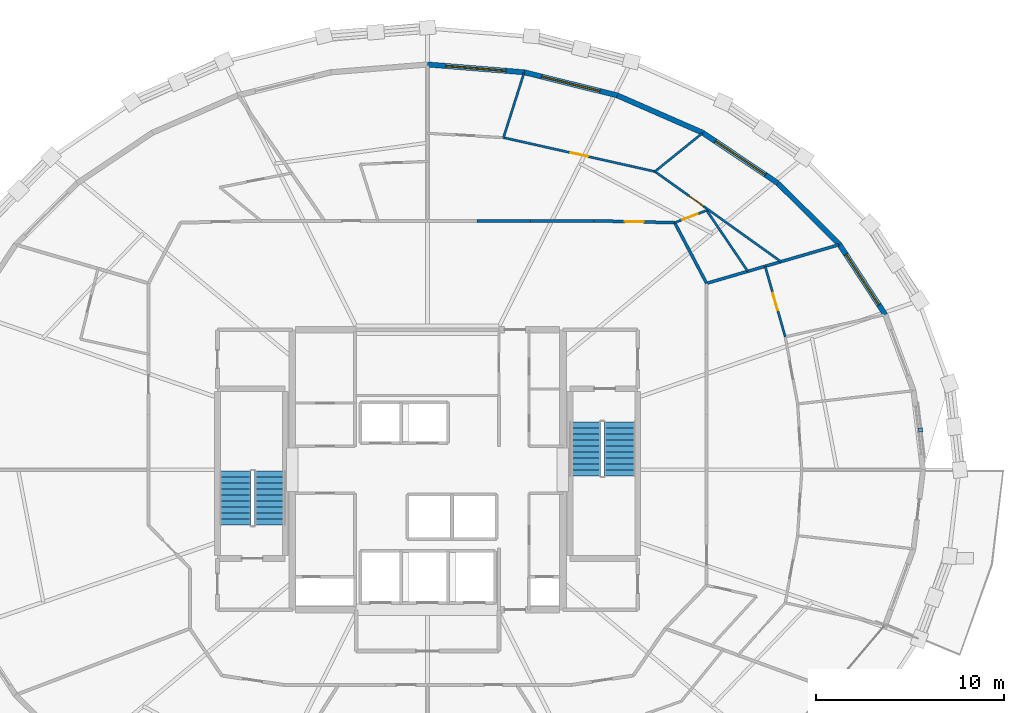
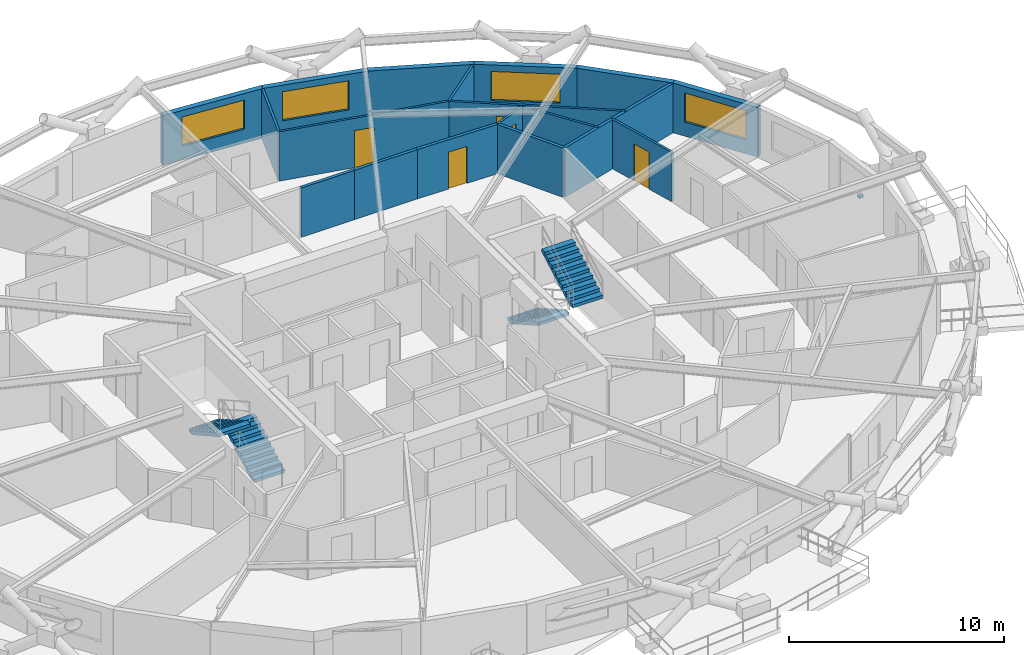
# One storey, part 13 of 14: 18 walls, 5 doors, 4 stair flights, 4 windows, 1 discrete accessory, 9 openings, 2 elements without a shape of their own.
"""IFC4 building model written with IfcOpenShell, lengths in metres."""

from ifc_helpers import new_model, si_unit, direction, frame, frame_2d, origin, origin_2d, place, context, subcontext, project, spatial, polyline, rectangle, outline, extrude, material, layer, layer_set, type_object, element, fill, aggregate, save


model = new_model("IFC4")

# Units and contexts
model_context = context("Model", 3, precision=1e-05, world=origin(), true_north=direction((0.0, 1.0)))
body_context = subcontext(model_context, "Body", "Model", "MODEL_VIEW")
ifc_project = project(units=[si_unit("LENGTHUNIT", "METRE"), si_unit("AREAUNIT", "SQUARE_METRE"), si_unit("VOLUMEUNIT", "CUBIC_METRE"), si_unit("PLANEANGLEUNIT", "RADIAN"), si_unit("MASSUNIT", "GRAM", prefix="KILO")], contexts=[model_context])

# Site, building, storey
site_placement = place(None, origin())
site = spatial("IfcSite", under=ifc_project, at=site_placement, CompositionType="ELEMENT")
building_placement = place(site_placement, origin())
building = spatial("IfcBuilding", under=site, at=building_placement, Name="Veldorina Hangang Commons", CompositionType="ELEMENT")
storey_placement = place(building_placement, frame((0.0, 0.0, 149.60009765625)))
storey = spatial("IfcBuildingStorey", under=building, at=storey_placement, Name="L38", CompositionType="ELEMENT", Elevation=149.60009765625)

# Wall, opening, window
ifc_material_1 = material(Name="Stone Roman Travertine", Category="masonry")
ifc_layer_1 = layer(ifc_material_1, 0.280029296875)
ifc_layer_set_1 = layer_set([ifc_layer_1], Name="Stone Roman Travertine")
wall_type_1 = type_object("IfcWallType", Name="EW-TRAV-280", PredefinedType="STANDARD", material=ifc_layer_set_1)
wall_1_placement = place(storey_placement, frame((56.35888671875, 32.253662109375, 0.0), z_axis=(0.0, 0.0, 1.0), x_axis=(-0.547011581396, 0.837125038342, 0.0)))
wall_1 = element("IfcWall", 1, at=wall_1_placement, inside=storey, type_object=wall_type_1, Name="L38 travertine facade wall 02", PredefinedType="STANDARD", context=body_context, shape_type="SweptSolid", body=[
    extrude(rectangle(XDim=4.454345703125, YDim=0.280029296875, at=frame_2d((2.22705078125, 0.0))), origin(), (0.0, 0.0, 1.0), 2.81982421875),
])
opening_1_placement = place(wall_1_placement, frame((0.627197265625, 0.0, 0.800048828125)))
opening_1 = element("IfcOpeningElement", 2, at=opening_1_placement, cuts=wall_1, Name="Opening W-01", PredefinedType="OPENING", context=body_context, shape_type="SweptSolid", body=[
    extrude(rectangle(XDim=3.199951171875, YDim=1.64990234375, at=frame_2d((1.60009765625, 0.824951171875))), frame((0.0, 0.14990234375, 0.0), z_axis=(0.0, -1.0, 0.0), x_axis=(1.0, 0.0, 0.0)), (0.0, 0.0, 1.0), 0.300048828125),
])
ifc_material_2 = material(Name="Glass Low-E Triple IGU", Category="glass")
window_type = type_object("IfcWindowType", Name="WIN-TWR-3200", PartitioningType="SINGLE_PANEL", PredefinedType="WINDOW", material=ifc_material_2)
window_1_placement = place(opening_1_placement, origin())
window_1 = element("IfcWindow", 3, at=window_1_placement, inside=storey, type_object=window_type, Name="L38 facade window 02", OverallHeight=1.64990234375, OverallWidth=3.199951171875, PartitioningType="SINGLE_PANEL", PredefinedType="WINDOW", context=body_context, shape_type="SweptSolid", body=[
    extrude(rectangle(XDim=3.199951171875, YDim=1.64990234375, at=frame_2d((1.60009765625, 0.824951171875))), frame((0.0, 0.030029296875, 0.0), z_axis=(0.0, -1.0, 0.0), x_axis=(1.0, 0.0, 0.0)), (0.0, 0.0, 1.0), 0.06005859375),
])
fill(opening_1, window_1)

# Wall
wall_2_placement = place(storey_placement, frame((53.92236328125, 35.982421875, 0.0), z_axis=(0.0, 0.0, 1.0), x_axis=(-0.708239604084, 0.705972140532, 0.0)))
element("IfcWall", 4, at=wall_2_placement, inside=storey, type_object=wall_type_1, Name="L38 travertine facade wall 03", PredefinedType="STANDARD", context=body_context, shape_type="SweptSolid", body=[
    extrude(rectangle(XDim=4.6298828125, YDim=0.280029296875, at=frame_2d((2.31494140625, 0.0))), origin(), (0.0, 0.0, 1.0), 2.81982421875),
])

# Wall, opening, window
wall_3_placement = place(storey_placement, frame((50.643310546875, 39.2509765625, 0.0), z_axis=(0.0, 0.0, 1.0), x_axis=(-0.830250648056, 0.557390223634, 0.0)))
wall_3 = element("IfcWall", 5, at=wall_3_placement, inside=storey, type_object=wall_type_1, Name="L38 travertine facade wall 04", PredefinedType="STANDARD", context=body_context, shape_type="SweptSolid", body=[
    extrude(rectangle(XDim=4.81201171875, YDim=0.280029296875, at=frame_2d((2.406005859375, 0.0))), origin(), (0.0, 0.0, 1.0), 2.81982421875),
])
opening_2_placement = place(wall_3_placement, frame((0.80615234375, 0.0, 0.800048828125)))
opening_2 = element("IfcOpeningElement", 6, at=opening_2_placement, cuts=wall_3, Name="Opening W-01", PredefinedType="OPENING", context=body_context, shape_type="SweptSolid", body=[
    extrude(rectangle(XDim=3.199951171875, YDim=1.64990234375, at=frame_2d((1.60009765625, 0.824951171875))), frame((0.0, 0.14990234375, 0.0), z_axis=(0.0, -1.0, 0.0), x_axis=(1.0, 0.0, 0.0)), (0.0, 0.0, 1.0), 0.300048828125),
])
window_2_placement = place(opening_2_placement, origin())
window_2 = element("IfcWindow", 7, at=window_2_placement, inside=storey, type_object=window_type, Name="L38 facade window 04", OverallHeight=1.64990234375, OverallWidth=3.199951171875, PartitioningType="SINGLE_PANEL", PredefinedType="WINDOW", context=body_context, shape_type="SweptSolid", body=[
    extrude(rectangle(XDim=3.199951171875, YDim=1.64990234375, at=frame_2d((1.60009765625, 0.824951171875))), frame((0.0, 0.030029296875, 0.0), z_axis=(0.0, -1.0, 0.0), x_axis=(1.0, 0.0, 0.0)), (0.0, 0.0, 1.0), 0.06005859375),
])
fill(opening_2, window_2)

# Wall
wall_4_placement = place(storey_placement, frame((46.648193359375, 41.93310546875, 0.0), z_axis=(0.0, 0.0, 1.0), x_axis=(-0.916239532795, 0.400630900634, 0.0)))
element("IfcWall", 8, at=wall_4_placement, inside=storey, type_object=wall_type_1, Name="L38 travertine facade wall 05", PredefinedType="STANDARD", context=body_context, shape_type="SweptSolid", body=[
    extrude(rectangle(XDim=4.97509765625, YDim=0.280029296875, at=frame_2d((2.487548828125, 0.0))), origin(), (0.0, 0.0, 1.0), 2.81982421875),
])

# Wall, opening, window
wall_5_placement = place(storey_placement, frame((42.08984375, 43.92626953125, 0.0), z_axis=(0.0, 0.0, 1.0), x_axis=(-0.97056654197, 0.24083311153, 0.0)))
wall_5 = element("IfcWall", 9, at=wall_5_placement, inside=storey, type_object=wall_type_1, Name="L38 travertine facade wall 06", PredefinedType="STANDARD", context=body_context, shape_type="SweptSolid", body=[
    extrude(rectangle(XDim=5.095947265625, YDim=0.280029296875, at=frame_2d((2.5478515625, 0.0))), origin(), (0.0, 0.0, 1.0), 2.81982421875),
])
opening_3_placement = place(wall_5_placement, frame((0.947998046875, 0.0, 0.800048828125)))
opening_3 = element("IfcOpeningElement", 10, at=opening_3_placement, cuts=wall_5, Name="Opening W-01", PredefinedType="OPENING", context=body_context, shape_type="SweptSolid", body=[
    extrude(rectangle(XDim=3.199951171875, YDim=1.64990234375, at=frame_2d((1.60009765625, 0.824951171875))), frame((0.0, 0.14990234375, 0.0), z_axis=(0.0, -1.0, 0.0), x_axis=(1.0, 0.0, 0.0)), (0.0, 0.0, 1.0), 0.300048828125),
])
window_3_placement = place(opening_3_placement, origin())
window_3 = element("IfcWindow", 11, at=window_3_placement, inside=storey, type_object=window_type, Name="L38 facade window 06", OverallHeight=1.64990234375, OverallWidth=3.199951171875, PartitioningType="SINGLE_PANEL", PredefinedType="WINDOW", context=body_context, shape_type="SweptSolid", body=[
    extrude(rectangle(XDim=3.199951171875, YDim=1.64990234375, at=frame_2d((1.60009765625, 0.824951171875))), frame((0.0, 0.030029296875, 0.0), z_axis=(0.0, -1.0, 0.0), x_axis=(1.0, 0.0, 0.0)), (0.0, 0.0, 1.0), 0.06005859375),
])
fill(opening_3, window_3)

wall_6_placement = place(storey_placement, frame((37.143798828125, 45.153564453125, 0.0), z_axis=(0.0, 0.0, 1.0), x_axis=(-0.996768172261, 0.080331878898, 0.0)))
wall_6 = element("IfcWall", 12, at=wall_6_placement, inside=storey, type_object=wall_type_1, Name="L38 travertine facade wall 07", PredefinedType="STANDARD", context=body_context, shape_type="SweptSolid", body=[
    extrude(rectangle(XDim=5.160400390625, YDim=0.280029296875, at=frame_2d((2.580078125, 0.0))), origin(), (0.0, 0.0, 1.0), 2.81982421875),
])
opening_4_placement = place(wall_6_placement, frame((0.980224609375, 0.0, 0.800048828125)))
opening_4 = element("IfcOpeningElement", 13, at=opening_4_placement, cuts=wall_6, Name="Opening W-01", PredefinedType="OPENING", context=body_context, shape_type="SweptSolid", body=[
    extrude(rectangle(XDim=3.199951171875, YDim=1.64990234375, at=frame_2d((1.60009765625, 0.824951171875))), frame((0.0, 0.14990234375, 0.0), z_axis=(0.0, -1.0, 0.0), x_axis=(1.0, 0.0, 0.0)), (0.0, 0.0, 1.0), 0.300048828125),
])
window_4_placement = place(opening_4_placement, origin())
window_4 = element("IfcWindow", 14, at=window_4_placement, inside=storey, type_object=window_type, Name="L38 facade window 07", OverallHeight=1.64990234375, OverallWidth=3.199951171875, PartitioningType="SINGLE_PANEL", PredefinedType="WINDOW", context=body_context, shape_type="SweptSolid", body=[
    extrude(rectangle(XDim=3.199951171875, YDim=1.64990234375, at=frame_2d((1.60009765625, 0.824951171875))), frame((0.0, 0.030029296875, 0.0), z_axis=(0.0, -1.0, 0.0), x_axis=(1.0, 0.0, 0.0)), (0.0, 0.0, 1.0), 0.06005859375),
])
fill(opening_4, window_4)

# Wall
ifc_material_3 = material(Name="Gypsum Fire-Rated Twin Stud Wall", Category="gypsum")
ifc_layer_2 = layer(ifc_material_3, 0.159912109375)
ifc_layer_set_2 = layer_set([ifc_layer_2], Name="Gypsum Fire-Rated Twin Stud Wall")
wall_type_2 = type_object("IfcWallType", Name="WL-FIRE-160", PredefinedType="SOLIDWALL", material=ifc_layer_set_2)
wall_7_placement = place(storey_placement, frame((46.85009765625, 33.922607421875, 0.0), z_axis=(0.0, 0.0, 1.0), x_axis=(-0.466093963429, 0.884735224378, 0.0)))
element("IfcWall", 15, at=wall_7_placement, inside=storey, type_object=wall_type_2, Name="L38 U-corridor outer wall 03 049", PredefinedType="SOLIDWALL", context=body_context, shape_type="SweptSolid", body=[
    extrude(rectangle(XDim=3.647705078125, YDim=0.159912109375, at=frame_2d((1.82373046875, 0.0))), origin(), (0.0, 0.0, 1.0), 2.7998046875),
])

# Wall, opening, door
wall_8_placement = place(storey_placement, frame((45.14990234375, 37.14990234375, 0.0), z_axis=(0.0, 0.0, 1.0), x_axis=(-0.999728709658, 0.023291781507, 0.0)))
wall_8 = element("IfcWall", 16, at=wall_8_placement, inside=storey, type_object=wall_type_2, Name="L38 U-corridor outer wall 04 050", PredefinedType="SOLIDWALL", context=body_context, shape_type="SweptSolid", body=[
    extrude(rectangle(XDim=4.297607421875, YDim=0.159912109375, at=frame_2d((2.14892578125, 0.0))), origin(), (0.0, 0.0, 1.0), 2.7998046875),
])
opening_5_placement = place(wall_8_placement, frame((1.64892578125, 0.0, 0.0)))
opening_5 = element("IfcOpeningElement", 17, at=opening_5_placement, cuts=wall_8, Name="Opening D-06", PredefinedType="OPENING", context=body_context, shape_type="SweptSolid", body=[
    extrude(rectangle(XDim=1.0, YDim=2.10009765625, at=frame_2d((0.5, 1.050048828125))), frame((0.0, 0.08984375, 0.0), z_axis=(0.0, -1.0, 0.0), x_axis=(1.0, 0.0, 0.0)), (0.0, 0.0, 1.0), 0.179931640625),
])
ifc_material_4 = material(Name="Timber Fire-Rated Entrance Core", Category="wood")
door_type_1 = type_object("IfcDoorType", Name="DR-UNIT-1000", OperationType="SINGLE_SWING_LEFT", PredefinedType="DOOR", material=ifc_material_4)
door_1_placement = place(opening_5_placement, origin())
door_1 = element("IfcDoor", 18, at=door_1_placement, inside=storey, type_object=door_type_1, Name="L38 Cluster 3 entrance door 031", OperationType="SINGLE_SWING_LEFT", OverallHeight=2.10009765625, OverallWidth=1.0, PredefinedType="DOOR", context=body_context, shape_type="SweptSolid", body=[
    extrude(rectangle(XDim=1.0, YDim=2.10009765625, at=frame_2d((0.5, 1.050048828125))), frame((0.0, 0.02490234375, 0.0), z_axis=(0.0, -1.0, 0.0), x_axis=(1.0, 0.0, 0.0)), (0.0, 0.0, 1.0), 0.050048828125),
])
fill(opening_5, door_1)

# Walls
wall_9_placement = place(storey_placement, frame((40.853515625, 37.25, 0.0), z_axis=(0.0, 0.0, 1.0), x_axis=(-1.0, 0.0, 0.0)))
element("IfcWall", 19, at=wall_9_placement, inside=storey, type_object=wall_type_2, Name="L38 U-corridor outer wall 05 051", PredefinedType="SOLIDWALL", context=body_context, shape_type="SweptSolid", body=[
    extrude(rectangle(XDim=3.365234375, YDim=0.159912109375, at=frame_2d((1.6826171875, 0.0))), origin(), (0.0, 0.0, 1.0), 2.7998046875),
])
wall_10_placement = place(storey_placement, frame((37.48828125, 37.25, 0.0), z_axis=(0.0, 0.0, 1.0), x_axis=(-1.0, 0.0, 0.0)))
element("IfcWall", 20, at=wall_10_placement, inside=storey, type_object=wall_type_2, Name="L38 U-corridor outer wall 06 052", PredefinedType="SOLIDWALL", context=body_context, shape_type="SweptSolid", body=[
    extrude(rectangle(XDim=2.852783203125, YDim=0.159912109375, at=frame_2d((1.42626953125, 0.0))), origin(), (0.0, 0.0, 1.0), 2.7998046875),
])
wall_11_placement = place(storey_placement, frame((46.85009765625, 33.922607421875, 0.0), z_axis=(0.0, 0.0, 1.0), x_axis=(0.960106072599, 0.279636065911, 0.0)))
element("IfcWall", 21, at=wall_11_placement, inside=storey, type_object=wall_type_2, Name="L38 Unit party wall 03 096", PredefinedType="SOLIDWALL", context=body_context, shape_type="SweptSolid", body=[
    extrude(rectangle(XDim=7.31640625, YDim=0.159912109375, at=frame_2d((3.658203125, 0.0))), origin(), (0.0, 0.0, 1.0), 2.7998046875),
])

# Wall, opening, door
ifc_material_5 = material(Name="Gypsum Acoustic Stud Partition", Category="gypsum")
ifc_layer_3 = layer(ifc_material_5, 0.1201171875)
ifc_layer_set_3 = layer_set([ifc_layer_3], Name="Gypsum Acoustic Stud Partition")
wall_type_3 = type_object("IfcWallType", Name="WL-PART-120", PredefinedType="PARTITIONING", material=ifc_layer_set_3)
wall_12_placement = place(storey_placement, frame((51.033935546875, 31.076171875, 0.0), z_axis=(0.0, 0.0, 1.0), x_axis=(-0.274679817616, 0.961535749619, 0.0)))
wall_12 = element("IfcWall", 22, at=wall_12_placement, inside=storey, type_object=wall_type_3, Name="L38 Cluster 2 bed 6 front wall 094", PredefinedType="PARTITIONING", context=body_context, shape_type="SweptSolid", body=[
    extrude(rectangle(XDim=3.90283203125, YDim=0.1201171875, at=frame_2d((1.951416015625, 0.0))), origin(), (0.0, 0.0, 1.0), 2.7998046875),
])
opening_6_placement = place(wall_12_placement, frame((1.476318359375, 0.0, 0.0)))
opening_6 = element("IfcOpeningElement", 23, at=opening_6_placement, cuts=wall_12, Name="Opening D-02", PredefinedType="OPENING", context=body_context, shape_type="SweptSolid", body=[
    extrude(rectangle(XDim=0.949951171875, YDim=2.10009765625, at=frame_2d((0.47509765625, 1.050048828125))), frame((0.0, 0.070068359375, 0.0), z_axis=(0.0, -1.0, 0.0), x_axis=(1.0, 0.0, 0.0)), (0.0, 0.0, 1.0), 0.14013671875),
])
ifc_material_6 = material(Name="Timber Solid Core Acoustic", Category="wood")
door_type_2 = type_object("IfcDoorType", Name="DR-INT-950", OperationType="SINGLE_SWING_LEFT", PredefinedType="DOOR", material=ifc_material_6)
door_2_placement = place(opening_6_placement, origin())
door_2 = element("IfcDoor", 24, at=door_2_placement, inside=storey, type_object=door_type_2, Name="L38 Cluster 2 bed 6 door 029", OperationType="SINGLE_SWING_LEFT", OverallHeight=2.10009765625, OverallWidth=0.949951171875, PredefinedType="DOOR", context=body_context, shape_type="SweptSolid", body=[
    extrude(rectangle(XDim=0.949951171875, YDim=2.10009765625, at=frame_2d((0.47509765625, 1.050048828125))), frame((0.0, 0.02490234375, 0.0), z_axis=(0.0, -1.0, 0.0), x_axis=(1.0, 0.0, 0.0)), (0.0, 0.0, 1.0), 0.050048828125),
])
fill(opening_6, door_2)

# Wall
wall_13_placement = place(storey_placement, frame((49.04248046875, 34.56103515625, 0.0), z_axis=(0.0, 0.0, 1.0), x_axis=(-0.559875946145, 0.82857644483, 0.0)))
element("IfcWall", 25, at=wall_13_placement, inside=storey, type_object=wall_type_3, Name="L38 Cluster 3 bath front wall 097", PredefinedType="PARTITIONING", context=body_context, shape_type="SweptSolid", body=[
    extrude(rectangle(XDim=3.91064453125, YDim=0.1201171875, at=frame_2d((1.955322265625, 0.0))), origin(), (0.0, 0.0, 1.0), 2.7998046875),
])

# Wall, opening, door
wall_14_placement = place(storey_placement, frame((45.14990234375, 37.14990234375, 0.0), z_axis=(0.0, 0.0, 1.0), x_axis=(0.934020303782, 0.357219921229, 0.0)))
wall_14 = element("IfcWall", 26, at=wall_14_placement, inside=storey, type_object=wall_type_3, Name="L38 Cluster 3 bath side wall 098", PredefinedType="PARTITIONING", context=body_context, shape_type="SweptSolid", body=[
    extrude(rectangle(XDim=1.823486328125, YDim=0.1201171875, at=frame_2d((0.91162109375, 0.0))), origin(), (0.0, 0.0, 1.0), 2.7998046875),
])
opening_7_placement = place(wall_14_placement, frame((0.43994140625, 0.0, 0.0)))
opening_7 = element("IfcOpeningElement", 27, at=opening_7_placement, cuts=wall_14, Name="Opening D-01", PredefinedType="OPENING", context=body_context, shape_type="SweptSolid", body=[
    extrude(rectangle(XDim=0.860107421875, YDim=2.10009765625, at=frame_2d((0.43017578125, 1.050048828125))), frame((0.0, 0.070068359375, 0.0), z_axis=(0.0, -1.0, 0.0), x_axis=(1.0, 0.0, 0.0)), (0.0, 0.0, 1.0), 0.14013671875),
])
ifc_material_7 = material(Name="Timber Moisture-Resistant Core", Category="wood")
door_type_3 = type_object("IfcDoorType", Name="DR-WET-860", OperationType="SINGLE_SWING_LEFT", PredefinedType="DOOR", material=ifc_material_7)
door_3_placement = place(opening_7_placement, origin())
door_3 = element("IfcDoor", 28, at=door_3_placement, inside=storey, type_object=door_type_3, Name="L38 Cluster 3 shared bathroom door 030", OperationType="SINGLE_SWING_RIGHT", OverallHeight=2.10009765625, OverallWidth=0.860107421875, PredefinedType="DOOR", context=body_context, shape_type="SweptSolid", body=[
    extrude(rectangle(XDim=0.860107421875, YDim=2.10009765625, at=frame_2d((0.43017578125, 1.050048828125))), frame((0.0, 0.02490234375, 0.0), z_axis=(0.0, -1.0, 0.0), x_axis=(1.0, 0.0, 0.0)), (0.0, 0.0, 1.0), 0.050048828125),
])
fill(opening_7, door_3)

wall_15_placement = place(storey_placement, frame((50.810546875, 35.076171875, 0.0), z_axis=(0.0, 0.0, 1.0), x_axis=(-0.813619479842, 0.581397748553, 0.0)))
wall_15 = element("IfcWall", 29, at=wall_15_placement, inside=storey, type_object=wall_type_3, Name="L38 Cluster 3 bed 1 front wall 099", PredefinedType="PARTITIONING", context=body_context, shape_type="SweptSolid", body=[
    extrude(rectangle(XDim=8.249755859375, YDim=0.1201171875, at=frame_2d((4.125, 0.0))), origin(), (0.0, 0.0, 1.0), 2.7998046875),
])
opening_8_placement = place(wall_15_placement, frame((5.062255859375, 0.0, 0.0)))
opening_8 = element("IfcOpeningElement", 30, at=opening_8_placement, cuts=wall_15, Name="Opening D-02", PredefinedType="OPENING", context=body_context, shape_type="SweptSolid", body=[
    extrude(rectangle(XDim=0.949951171875, YDim=2.10009765625, at=frame_2d((0.47509765625, 1.050048828125))), frame((0.0, 0.070068359375, 0.0), z_axis=(0.0, -1.0, 0.0), x_axis=(1.0, 0.0, 0.0)), (0.0, 0.0, 1.0), 0.14013671875),
])
door_4_placement = place(opening_8_placement, origin())
door_4 = element("IfcDoor", 31, at=door_4_placement, inside=storey, type_object=door_type_2, Name="L38 Cluster 3 bed 1 door 032", OperationType="SINGLE_SWING_RIGHT", OverallHeight=2.10009765625, OverallWidth=0.949951171875, PredefinedType="DOOR", context=body_context, shape_type="SweptSolid", body=[
    extrude(rectangle(XDim=0.949951171875, YDim=2.10009765625, at=frame_2d((0.47509765625, 1.050048828125))), frame((0.0, 0.02490234375, 0.0), z_axis=(0.0, -1.0, 0.0), x_axis=(1.0, 0.0, 0.0)), (0.0, 0.0, 1.0), 0.050048828125),
])
fill(opening_8, door_4)

wall_16_placement = place(storey_placement, frame((44.098388671875, 39.87255859375, 0.0), z_axis=(0.0, 0.0, 1.0), x_axis=(-0.975859695066, 0.218398387234, 0.0)))
wall_16 = element("IfcWall", 32, at=wall_16_placement, inside=storey, type_object=wall_type_3, Name="L38 Cluster 3 bed 2 front wall 100", PredefinedType="PARTITIONING", context=body_context, shape_type="SweptSolid", body=[
    extrude(rectangle(XDim=8.2578125, YDim=0.1201171875, at=frame_2d((4.12890625, 0.0))), origin(), (0.0, 0.0, 1.0), 2.7998046875),
])
opening_9_placement = place(wall_16_placement, frame((3.65380859375, 0.0, 0.0)))
opening_9 = element("IfcOpeningElement", 33, at=opening_9_placement, cuts=wall_16, Name="Opening D-02", PredefinedType="OPENING", context=body_context, shape_type="SweptSolid", body=[
    extrude(rectangle(XDim=0.949951171875, YDim=2.10009765625, at=frame_2d((0.47509765625, 1.050048828125))), frame((0.0, 0.070068359375, 0.0), z_axis=(0.0, -1.0, 0.0), x_axis=(1.0, 0.0, 0.0)), (0.0, 0.0, 1.0), 0.14013671875),
])
door_5_placement = place(opening_9_placement, origin())
door_5 = element("IfcDoor", 34, at=door_5_placement, inside=storey, type_object=door_type_2, Name="L38 Cluster 3 bed 2 door 033", OperationType="SINGLE_SWING_LEFT", OverallHeight=2.10009765625, OverallWidth=0.949951171875, PredefinedType="DOOR", context=body_context, shape_type="SweptSolid", body=[
    extrude(rectangle(XDim=0.949951171875, YDim=2.10009765625, at=frame_2d((0.47509765625, 1.050048828125))), frame((0.0, 0.02490234375, 0.0), z_axis=(0.0, -1.0, 0.0), x_axis=(1.0, 0.0, 0.0)), (0.0, 0.0, 1.0), 0.050048828125),
])
fill(opening_9, door_5)

# Walls
wall_17_placement = place(storey_placement, frame((44.098388671875, 39.87255859375, 0.0), z_axis=(0.0, 0.0, 1.0), x_axis=(0.777767684792, 0.628551850282, 0.0)))
element("IfcWall", 35, at=wall_17_placement, inside=storey, type_object=wall_type_3, Name="L38 Cluster 3 bed divider 1 101", PredefinedType="PARTITIONING", context=body_context, shape_type="SweptSolid", body=[
    extrude(rectangle(XDim=3.22802734375, YDim=0.1201171875, at=frame_2d((1.614013671875, 0.0))), origin(), (0.0, 0.0, 1.0), 2.7998046875),
])
wall_18_placement = place(storey_placement, frame((36.0400390625, 41.676025390625, 0.0), z_axis=(0.0, 0.0, 1.0), x_axis=(0.302517498968, 0.953143831128, 0.0)))
element("IfcWall", 36, at=wall_18_placement, inside=storey, type_object=wall_type_3, Name="L38 Cluster 3 bed divider 2 103", PredefinedType="PARTITIONING", context=body_context, shape_type="SweptSolid", body=[
    extrude(rectangle(XDim=3.5986328125, YDim=0.1201171875, at=frame_2d((1.79931640625, 0.0))), origin(), (0.0, 0.0, 1.0), 2.7998046875),
])

# Stair, stair flights
ifc_material_8 = material(Name="Concrete C40/50", Category="concrete")
stair_type = type_object("IfcStairType", Name="STR-DOG-1650-20R", PredefinedType="HALF_TURN_STAIR", material=ifc_material_8)
stair_1_placement = place(storey_placement, origin())
stair_1 = element("IfcStair", 37, at=stair_1_placement, inside=storey, type_object=stair_type, Name="L38 Exit stair ST-1", PredefinedType="HALF_TURN_STAIR")
stair_flight_type = type_object("IfcStairFlightType", Name="SFL-STR-1650-20R", PredefinedType="STRAIGHT", material=ifc_material_8)
stair_flight_1_placement = place(storey_placement, frame((23.625, 21.050048828125, 0.0), z_axis=(0.0, 0.0, 1.0), x_axis=(0.0, 1.0, 0.0)))
stair_flight_1 = element("IfcStairFlight", 38, at=stair_flight_1_placement, type_object=stair_flight_type, Name="ST-1 flight 1", NumberOfRisers=10, NumberOfTreads=9, PredefinedType="STRAIGHT", RiserHeight=0.18, TreadLength=0.32, context=body_context, shape_type="SweptSolid", body=[
    extrude(outline(polyline([(0.0, 0.0), (0.0, 0.179931640625), (0.320068359375, 0.179931640625), (0.320068359375, 0.360107421875), (0.639892578125, 0.360107421875), (0.639892578125, 0.5400390625), (0.9599609375, 0.5400390625), (0.9599609375, 0.719970703125), (1.280029296875, 0.719970703125), (1.280029296875, 0.89990234375), (1.60009765625, 0.89990234375), (1.60009765625, 1.080078125), (1.919921875, 1.080078125), (1.919921875, 1.260009765625), (2.239990234375, 1.260009765625), (2.239990234375, 1.43994140625), (2.56005859375, 1.43994140625), (2.56005859375, 1.6201171875), (2.8798828125, 1.6201171875), (2.8798828125, 1.800048828125), (2.8798828125, 1.447998046875), (0.3056640625, 0.0), (0.0, 0.0)])), frame((0.0, 0.824951171875, 0.0), z_axis=(0.0, -1.0, 0.0), x_axis=(1.0, 0.0, 0.0)), (0.0, 0.0, 1.0), 1.64990234375),
])
stair_flight_2_placement = place(storey_placement, frame((21.77490234375, 23.929931640625, 1.7998046875), z_axis=(0.0, 0.0, 1.0), x_axis=(0.0, -1.0, 0.0)))
stair_flight_2 = element("IfcStairFlight", 39, at=stair_flight_2_placement, type_object=stair_flight_type, Name="ST-1 flight 2", NumberOfRisers=10, NumberOfTreads=9, PredefinedType="STRAIGHT", RiserHeight=0.18, TreadLength=0.32, context=body_context, shape_type="SweptSolid", body=[
    extrude(outline(polyline([(0.0, 0.0), (0.0, 0.179931640625), (0.320068359375, 0.179931640625), (0.320068359375, 0.360107421875), (0.639892578125, 0.360107421875), (0.639892578125, 0.5400390625), (0.9599609375, 0.5400390625), (0.9599609375, 0.719970703125), (1.280029296875, 0.719970703125), (1.280029296875, 0.89990234375), (1.60009765625, 0.89990234375), (1.60009765625, 1.080078125), (1.919921875, 1.080078125), (1.919921875, 1.260009765625), (2.239990234375, 1.260009765625), (2.239990234375, 1.43994140625), (2.56005859375, 1.43994140625), (2.56005859375, 1.6201171875), (2.8798828125, 1.6201171875), (2.8798828125, 1.800048828125), (2.8798828125, 1.447998046875), (0.3056640625, 0.0), (0.0, 0.0)])), frame((0.0, 0.824951171875, 0.0), z_axis=(0.0, -1.0, 0.0), x_axis=(1.0, 0.0, 0.0)), (0.0, 0.0, 1.0), 1.64990234375),
])
aggregate(stair_1, [stair_flight_1, stair_flight_2])

stair_2_placement = place(storey_placement, origin())
stair_2 = element("IfcStair", 40, at=stair_2_placement, inside=storey, type_object=stair_type, Name="L38 Exit stair ST-2", PredefinedType="HALF_TURN_STAIR")
stair_flight_3_placement = place(storey_placement, frame((40.375, 26.550048828125, 0.0), z_axis=(0.0, 0.0, 1.0), x_axis=(0.0, -1.0, 0.0)))
stair_flight_3 = element("IfcStairFlight", 41, at=stair_flight_3_placement, type_object=stair_flight_type, Name="ST-2 flight 1", NumberOfRisers=10, NumberOfTreads=9, PredefinedType="STRAIGHT", RiserHeight=0.18, TreadLength=0.32, context=body_context, shape_type="SweptSolid", body=[
    extrude(outline(polyline([(0.0, 0.0), (0.0, 0.179931640625), (0.320068359375, 0.179931640625), (0.320068359375, 0.360107421875), (0.639892578125, 0.360107421875), (0.639892578125, 0.5400390625), (0.9599609375, 0.5400390625), (0.9599609375, 0.719970703125), (1.280029296875, 0.719970703125), (1.280029296875, 0.89990234375), (1.60009765625, 0.89990234375), (1.60009765625, 1.080078125), (1.919921875, 1.080078125), (1.919921875, 1.260009765625), (2.239990234375, 1.260009765625), (2.239990234375, 1.43994140625), (2.56005859375, 1.43994140625), (2.56005859375, 1.6201171875), (2.8798828125, 1.6201171875), (2.8798828125, 1.800048828125), (2.8798828125, 1.447998046875), (0.3056640625, 0.0), (0.0, 0.0)])), frame((0.0, 0.824951171875, 0.0), z_axis=(0.0, -1.0, 0.0), x_axis=(1.0, 0.0, 0.0)), (0.0, 0.0, 1.0), 1.64990234375),
])
stair_flight_4_placement = place(storey_placement, frame((42.22509765625, 23.669921875, 1.7998046875), z_axis=(0.0, 0.0, 1.0), x_axis=(0.0, 1.0, 0.0)))
stair_flight_4 = element("IfcStairFlight", 42, at=stair_flight_4_placement, type_object=stair_flight_type, Name="ST-2 flight 2", NumberOfRisers=10, NumberOfTreads=9, PredefinedType="STRAIGHT", RiserHeight=0.18, TreadLength=0.32, context=body_context, shape_type="SweptSolid", body=[
    extrude(outline(polyline([(0.0, 0.0), (0.0, 0.179931640625), (0.320068359375, 0.179931640625), (0.320068359375, 0.360107421875), (0.639892578125, 0.360107421875), (0.639892578125, 0.5400390625), (0.9599609375, 0.5400390625), (0.9599609375, 0.719970703125), (1.280029296875, 0.719970703125), (1.280029296875, 0.89990234375), (1.60009765625, 0.89990234375), (1.60009765625, 1.080078125), (1.919921875, 1.080078125), (1.919921875, 1.260009765625), (2.239990234375, 1.260009765625), (2.239990234375, 1.43994140625), (2.56005859375, 1.43994140625), (2.56005859375, 1.6201171875), (2.8798828125, 1.6201171875), (2.8798828125, 1.800048828125), (2.8798828125, 1.447998046875), (0.3056640625, 0.0), (0.0, 0.0)])), frame((0.0, 0.824951171875, 0.0), z_axis=(0.0, -1.0, 0.0), x_axis=(1.0, 0.0, 0.0)), (0.0, 0.0, 1.0), 1.64990234375),
])
aggregate(stair_2, [stair_flight_3, stair_flight_4])

# Discrete accessory
ifc_material_9 = material(Name="Stainless Steel Brushed 316", Category="steel")
discrete_accessory_type = type_object("IfcDiscreteAccessoryType", Name="BRK-SCR-SS", PredefinedType="BRACKET", material=ifc_material_9)
discrete_accessory_placement = place(storey_placement, frame((58.231689453125, 26.1181640625, 0.7197265625), z_axis=(0.0, 0.0, 1.0), x_axis=(-0.119530375507, 0.992830544117, 0.0)))
element("IfcDiscreteAccessory", 43, at=discrete_accessory_placement, inside=storey, type_object=discrete_accessory_type, Name="L38 solar screen support bracket 00", PredefinedType="BRACKET", context=body_context, shape_type="SweptSolid", body=[
    extrude(rectangle(XDim=0.219970703125, YDim=0.219970703125, at=origin_2d()), origin(), (0.0, 0.0, 1.0), 0.159912109375),
])

save(model, "model.ifc")
